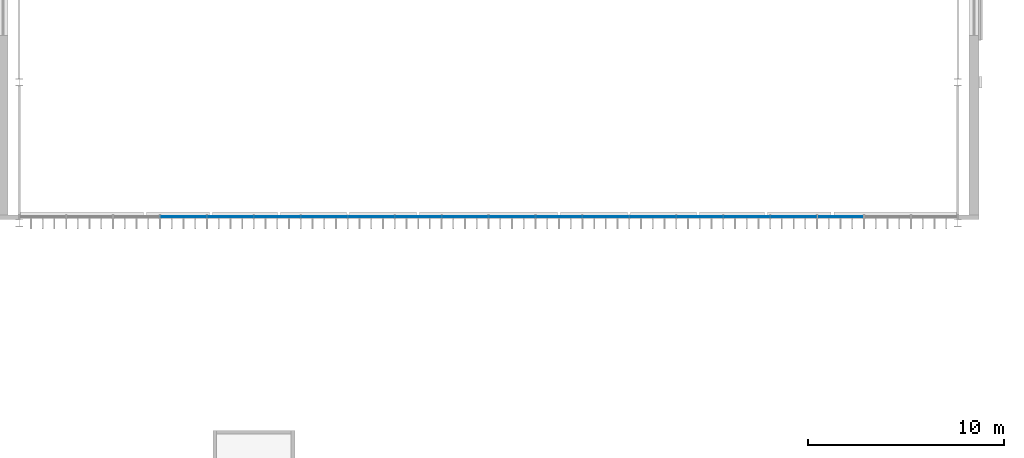
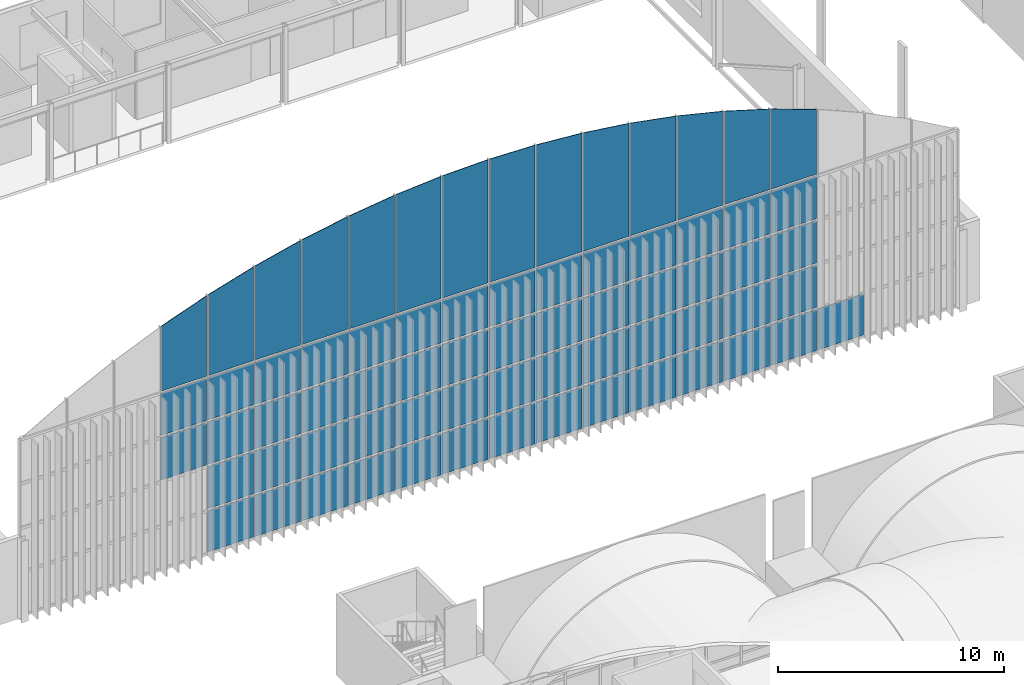
# One storey, part 89 of 169: 69 plates, 1 element without a shape of its own.
"""IFC4 building model written with IfcOpenShell, lengths in metres."""

import ifcopenshell
import ifcopenshell.guid

model = None  # the IFC model being written
_history = None  # IfcOwnerHistory: only IFC2X3 demands one
_inside = {}  # id of a spatial element -> (the spatial element, [elements in it])
_under = {}  # id of a project, library or spatial element -> (it, [spatial elements below it])
_declared = {}  # id of a project -> (the project, [libraries it declares])
_typed = {}  # id of a type object -> (the type object, [elements of that type])
_made_of = {}  # id of a material, layer set ... -> (it, [elements and type objects made of it])


def new_model(schema):
    """Start an empty IFC model of exactly this schema.

    Asked for "IFC4X3", IfcOpenShell would pick the latest addendum, in which some entities
    have other attributes; the version numbers below select the first issue.
    IFC2X3 requires an IfcOwnerHistory on every rooted entity: one is made here for all.
    """
    global model, _history
    if schema == "IFC4X3":
        model = ifcopenshell.file(schema_version=(4, 3, 0, 0))
    else:
        model = ifcopenshell.file(schema=schema)
    _inside.clear()
    _under.clear()
    _declared.clear()
    _typed.clear()
    _made_of.clear()
    _history = None
    if model.schema == "IFC2X3":
        org = make("IfcOrganization", Name="unknown")
        user = make(
            "IfcPersonAndOrganization",
            ThePerson=make("IfcPerson", FamilyName="unknown"),
            TheOrganization=org,
        )
        app = make(
            "IfcApplication",
            ApplicationDeveloper=org,
            Version="unknown",
            ApplicationFullName="unknown",
            ApplicationIdentifier="unknown",
        )
        _history = make(
            "IfcOwnerHistory",
            OwningUser=user,
            OwningApplication=app,
            ChangeAction="ADDED",
            CreationDate=0,
        )
    return model


def make(cls, **values):
    """One entity of the class cls with the attributes given. An attribute that is None is left unset."""
    return model.create_entity(
        cls, **{name: value for name, value in values.items() if value is not None}
    )


def rooted(cls, **values):
    """An entity with a GlobalId (a new one), such as an element, a storey or a relation."""
    return make(cls, GlobalId=ifcopenshell.guid.new(), OwnerHistory=_history, **values)


def si_unit(unit_type, name, prefix=None):
    """IfcSIUnit, for example si_unit("LENGTHUNIT", "METRE", prefix="MILLI")."""
    return make("IfcSIUnit", UnitType=unit_type, Prefix=prefix, Name=name)


def assignment(units):
    """IfcUnitAssignment: the units of a project."""
    return None if units is None else make("IfcUnitAssignment", Units=units)


def point(xyz):
    """IfcCartesianPoint."""
    return None if xyz is None else make("IfcCartesianPoint", Coordinates=xyz)


def direction(xyz):
    """IfcDirection."""
    return None if xyz is None else make("IfcDirection", DirectionRatios=xyz)


def frame(location, z_axis=None, x_axis=None):
    """IfcAxis2Placement3D, a coordinate frame: its origin and axes. An axis left out is left unset."""
    return make(
        "IfcAxis2Placement3D",
        Location=point(location),
        Axis=direction(z_axis),
        RefDirection=direction(x_axis),
    )


def frame_2d(location, x_axis=None):
    """IfcAxis2Placement2D, a coordinate frame in the plane: its origin and x axis."""
    return make(
        "IfcAxis2Placement2D", Location=point(location), RefDirection=direction(x_axis)
    )


def origin():
    """The frame at (0, 0, 0) with its axes left unset."""
    return frame((0.0, 0.0, 0.0))


def origin_2d():
    """The frame at (0, 0) in the plane with its x axis left unset."""
    return frame_2d((0.0, 0.0))


def place(relative_to, where):
    """IfcLocalPlacement: puts the frame where relative to a parent placement (None: the world)."""
    return make(
        "IfcLocalPlacement", PlacementRelTo=relative_to, RelativePlacement=where
    )


def context(
    kind, dimensions, precision=None, world=None, true_north=None, identifier=None
):
    """IfcGeometricRepresentationContext, for example the 3D "Model" context."""
    return make(
        "IfcGeometricRepresentationContext",
        ContextIdentifier=identifier,
        ContextType=kind,
        CoordinateSpaceDimension=dimensions,
        Precision=precision,
        WorldCoordinateSystem=world,
        TrueNorth=true_north,
    )


def subcontext(parent, identifier, kind, view, scale=None):
    """IfcGeometricRepresentationSubContext, for example "Body" below "Model"."""
    return make(
        "IfcGeometricRepresentationSubContext",
        ContextIdentifier=identifier,
        ContextType=kind,
        ParentContext=parent,
        TargetScale=scale,
        TargetView=view,
    )


def project(units=None, contexts=None):
    """IfcProject with its units and contexts."""
    return rooted(
        "IfcProject",
        Name="project",
        RepresentationContexts=contexts,
        UnitsInContext=assignment(units),
    )


def spatial(cls, under=None, at=None, **own):
    """A site, building, storey or space (cls), placed at a placement, below another one or the project."""
    s = rooted(cls, ObjectPlacement=at, **own)
    if under is not None:
        _under.setdefault(under.id(), (under, []))[1].append(s)
    return s


def polyline(points):
    """IfcPolyline through the points."""
    return make("IfcPolyline", Points=[point(p) for p in points])


def profile(cls, at=None, kind="AREA", **sizes):
    """A parametric profile (cls). Its sizes go by their IFC names, for example OverallWidth=200.0."""
    return make(cls, ProfileType=kind, Position=at, **sizes)


def rectangle(**sizes):
    """IfcRectangleProfileDef."""
    return profile("IfcRectangleProfileDef", **sizes)


def outline(outer, holes=None, kind="AREA"):
    """IfcArbitraryClosedProfileDef: a profile drawn as a closed curve; with holes, ...WithVoids."""
    if holes is None:
        return make("IfcArbitraryClosedProfileDef", ProfileType=kind, OuterCurve=outer)
    return make(
        "IfcArbitraryProfileDefWithVoids",
        ProfileType=kind,
        OuterCurve=outer,
        InnerCurves=holes,
    )


def extrude(swept, where, along, depth):
    """IfcExtrudedAreaSolid: the profile swept, set in the frame where, extruded along a direction by depth."""
    return make(
        "IfcExtrudedAreaSolid",
        SweptArea=swept,
        Position=where,
        ExtrudedDirection=direction(along),
        Depth=depth,
    )


def shape(context_of_items, identifier, shape_type, items):
    """IfcShapeRepresentation: the items that make up one representation, for example the "Body"."""
    return make(
        "IfcShapeRepresentation",
        ContextOfItems=context_of_items,
        RepresentationIdentifier=identifier,
        RepresentationType=shape_type,
        Items=items,
    )


def material(Name=None, Category=None):
    """IfcMaterial."""
    return make("IfcMaterial", Name=Name, Category=Category)


def layer(
    of_material, thickness, ventilated=None, Name=None, Category=None, Priority=None
):
    """IfcMaterialLayer: one layer of a wall or slab, of a material (None: an air gap)."""
    return make(
        "IfcMaterialLayer",
        Material=of_material,
        LayerThickness=thickness,
        IsVentilated=ventilated,
        Name=Name,
        Category=Category,
        Priority=Priority,
    )


def layer_set(layers, Name=None):
    """IfcMaterialLayerSet."""
    return make("IfcMaterialLayerSet", MaterialLayers=layers, LayerSetName=Name)


def made_of(thing, what):
    """Note that an element or type object is made of a material, layer set ...; save() writes the relation."""
    if what is not None:
        _made_of.setdefault(what.id(), (what, []))[1].append(thing)
    return thing


def type_object(cls, material=None, **own):
    """A type object (cls), such as IfcWallType, which elements share."""
    return made_of(rooted(cls, **own), material)


def element(
    cls,
    number,
    at=None,
    inside=None,
    cuts=None,
    type_object=None,
    material=None,
    context=None,
    identifier="Body",
    shape_type=None,
    held_by="IfcProductDefinitionShape",
    body=None,
    shapes=None,
    **own,
):
    """One element of the class cls, such as IfcWall. Its Tag is "e" and its number.

    at: its placement. inside: the storey or other place that contains it. cuts: it is an
    opening in that element (IfcRelVoidsElement). A single representation is given by context,
    identifier, shape_type and body (its items); several are given by shapes. held_by: the class
    of the entity that holds the representations. save() writes the other relations.
    """
    e = rooted(cls, Tag="e%d" % number, ObjectPlacement=at, **own)
    if body is not None:
        shapes = [shape(context, identifier, shape_type, body)]
    if shapes is not None:
        e.Representation = make(held_by, Representations=shapes)
    if inside is not None:
        _inside.setdefault(inside.id(), (inside, []))[1].append(e)
    if cuts is not None:
        rooted(
            "IfcRelVoidsElement", RelatingBuildingElement=cuts, RelatedOpeningElement=e
        )
    if type_object is not None:
        _typed.setdefault(type_object.id(), (type_object, []))[1].append(e)
    return made_of(e, material)


def aggregate(whole, parts):
    """IfcRelAggregates: a whole, such as a stair, and the parts it consists of."""
    return rooted("IfcRelAggregates", RelatingObject=whole, RelatedObjects=parts)


def save(model, path):
    """Write the relations noted so far, then the file.

    IfcRelAggregates (storeys below a building ...), IfcRelContainedInSpatialStructure (elements
    in a storey), IfcRelDefinesByType, IfcRelAssociatesMaterial and IfcRelDeclares: one each for
    every whole, place, type object, material and project.
    """
    for whole, parts in _under.values():
        aggregate(whole, parts)
    for where, things in _inside.values():
        rooted(
            "IfcRelContainedInSpatialStructure",
            RelatedElements=things,
            RelatingStructure=where,
        )
    for kind, things in _typed.values():
        rooted("IfcRelDefinesByType", RelatedObjects=things, RelatingType=kind)
    for what, things in _made_of.values():
        rooted("IfcRelAssociatesMaterial", RelatedObjects=things, RelatingMaterial=what)
    for by, libraries in _declared.values():
        rooted("IfcRelDeclares", RelatingContext=by, RelatedDefinitions=libraries)
    model.write(path)


model = new_model("IFC4")

# Units and contexts
model_context = context("Model", 3, precision=1e-05, world=origin(), true_north=direction((0.0, 1.0)))
body_context = subcontext(model_context, "Body", "Model", "MODEL_VIEW")
ifc_project = project(units=[si_unit("LENGTHUNIT", "METRE"), si_unit("AREAUNIT", "SQUARE_METRE"), si_unit("VOLUMEUNIT", "CUBIC_METRE"), si_unit("PLANEANGLEUNIT", "RADIAN"), si_unit("MASSUNIT", "GRAM", prefix="KILO")], contexts=[model_context])

# Site, building, storey
site_placement = place(None, origin())
site = spatial("IfcSite", under=ifc_project, at=site_placement, CompositionType="ELEMENT")
building_placement = place(site_placement, origin())
building = spatial("IfcBuilding", under=site, at=building_placement, Name="Verrick Yard Athletic Hall", CompositionType="ELEMENT")
storey_placement = place(building_placement, frame((0.0, 0.0, 4.39990234375)))
storey = spatial("IfcBuildingStorey", under=building, at=storey_placement, Name="L01", CompositionType="ELEMENT", Elevation=4.39990234375)

# Curtain wall, plates
ifc_material_1 = material(Name="Anodised aluminium", Category="aluminium")
ifc_layer_1 = layer(ifc_material_1, 0.199951171875)
ifc_layer_set_1 = layer_set([ifc_layer_1], Name="Gable glazing")
curtain_wall_type = type_object("IfcCurtainWallType", Name="Gable glazing", PredefinedType="NOTDEFINED", material=ifc_layer_set_1)
curtain_wall_placement = place(storey_placement, origin())
curtain_wall = element("IfcCurtainWall", 1, at=curtain_wall_placement, inside=storey, type_object=curtain_wall_type, Name="Gable curtain wall BS", PredefinedType="NOTDEFINED")
ifc_material_2 = material(Name="Glass IGU low-e", Category="glass")
ifc_layer_2 = layer(ifc_material_2, 0.03125)
ifc_layer_set_2 = layer_set([ifc_layer_2], Name="Glazing panel 31")
plate_type = type_object("IfcPlateType", Name="Glazing panel 31", PredefinedType="CURTAIN_PANEL", material=ifc_layer_set_2)
plate_1_placement = place(storey_placement, frame((36.39990234375, 72.318359375, 4.85986328125), z_axis=(0.0, 0.0, 1.0), x_axis=(1.0, 0.0, 0.0)))
plate_1 = element("IfcPlate", 2, at=plate_1_placement, type_object=plate_type, Name="ENVB-HBS-CW/P03-02", PredefinedType="CURTAIN_PANEL", context=body_context, shape_type="SweptSolid", body=[
    extrude(rectangle(XDim=2.340087890625, YDim=0.03125, at=origin_2d()), origin(), (0.0, 0.0, 1.0), 2.280029296875),
])
plate_2_placement = place(storey_placement, frame((36.39990234375, 72.318359375, 7.26025390625), z_axis=(0.0, 0.0, 1.0), x_axis=(1.0, 0.0, 0.0)))
plate_2 = element("IfcPlate", 3, at=plate_2_placement, type_object=plate_type, Name="ENVB-HBS-CW/P03-03", PredefinedType="CURTAIN_PANEL", context=body_context, shape_type="SweptSolid", body=[
    extrude(rectangle(XDim=2.340087890625, YDim=0.03125, at=origin_2d()), origin(), (0.0, 0.0, 1.0), 2.280029296875),
])
plate_3_placement = place(storey_placement, frame((38.800048828125, 72.318359375, 0.1201171875), z_axis=(0.0, 0.0, 1.0), x_axis=(1.0, 0.0, 0.0)))
plate_3 = element("IfcPlate", 4, at=plate_3_placement, type_object=plate_type, Name="ENVB-HBS-CW/P04-00", PredefinedType="CURTAIN_PANEL", context=body_context, shape_type="SweptSolid", body=[
    extrude(rectangle(XDim=2.340087890625, YDim=0.03125, at=origin_2d()), origin(), (0.0, 0.0, 1.0), 2.219970703125),
])
plate_4_placement = place(storey_placement, frame((38.800048828125, 72.318359375, 2.4599609375), z_axis=(0.0, 0.0, 1.0), x_axis=(1.0, 0.0, 0.0)))
plate_4 = element("IfcPlate", 5, at=plate_4_placement, type_object=plate_type, Name="ENVB-HBS-CW/P04-01", PredefinedType="CURTAIN_PANEL", context=body_context, shape_type="SweptSolid", body=[
    extrude(rectangle(XDim=2.340087890625, YDim=0.03125, at=origin_2d()), origin(), (0.0, 0.0, 1.0), 2.280029296875),
])
plate_5_placement = place(storey_placement, frame((38.800048828125, 72.318359375, 4.85986328125), z_axis=(0.0, 0.0, 1.0), x_axis=(1.0, 0.0, 0.0)))
plate_5 = element("IfcPlate", 6, at=plate_5_placement, type_object=plate_type, Name="ENVB-HBS-CW/P04-02", PredefinedType="CURTAIN_PANEL", context=body_context, shape_type="SweptSolid", body=[
    extrude(rectangle(XDim=2.340087890625, YDim=0.03125, at=origin_2d()), origin(), (0.0, 0.0, 1.0), 2.280029296875),
])
plate_6_placement = place(storey_placement, frame((38.800048828125, 72.318359375, 7.26025390625), z_axis=(0.0, 0.0, 1.0), x_axis=(1.0, 0.0, 0.0)))
plate_6 = element("IfcPlate", 7, at=plate_6_placement, type_object=plate_type, Name="ENVB-HBS-CW/P04-03", PredefinedType="CURTAIN_PANEL", context=body_context, shape_type="SweptSolid", body=[
    extrude(rectangle(XDim=2.340087890625, YDim=0.03125, at=origin_2d()), origin(), (0.0, 0.0, 1.0), 2.280029296875),
])
plate_7_placement = place(storey_placement, frame((41.199951171875, 72.318359375, 0.1201171875), z_axis=(0.0, 0.0, 1.0), x_axis=(1.0, 0.0, 0.0)))
plate_7 = element("IfcPlate", 8, at=plate_7_placement, type_object=plate_type, Name="ENVB-HBS-CW/P05-00", PredefinedType="CURTAIN_PANEL", context=body_context, shape_type="SweptSolid", body=[
    extrude(rectangle(XDim=2.340087890625, YDim=0.03125, at=origin_2d()), origin(), (0.0, 0.0, 1.0), 2.219970703125),
])
plate_8_placement = place(storey_placement, frame((41.199951171875, 72.318359375, 2.4599609375), z_axis=(0.0, 0.0, 1.0), x_axis=(1.0, 0.0, 0.0)))
plate_8 = element("IfcPlate", 9, at=plate_8_placement, type_object=plate_type, Name="ENVB-HBS-CW/P05-01", PredefinedType="CURTAIN_PANEL", context=body_context, shape_type="SweptSolid", body=[
    extrude(rectangle(XDim=2.340087890625, YDim=0.03125, at=origin_2d()), origin(), (0.0, 0.0, 1.0), 2.280029296875),
])
plate_9_placement = place(storey_placement, frame((41.199951171875, 72.318359375, 4.85986328125), z_axis=(0.0, 0.0, 1.0), x_axis=(1.0, 0.0, 0.0)))
plate_9 = element("IfcPlate", 10, at=plate_9_placement, type_object=plate_type, Name="ENVB-HBS-CW/P05-02", PredefinedType="CURTAIN_PANEL", context=body_context, shape_type="SweptSolid", body=[
    extrude(rectangle(XDim=2.340087890625, YDim=0.03125, at=origin_2d()), origin(), (0.0, 0.0, 1.0), 2.280029296875),
])
plate_10_placement = place(storey_placement, frame((41.199951171875, 72.318359375, 7.26025390625), z_axis=(0.0, 0.0, 1.0), x_axis=(1.0, 0.0, 0.0)))
plate_10 = element("IfcPlate", 11, at=plate_10_placement, type_object=plate_type, Name="ENVB-HBS-CW/P05-03", PredefinedType="CURTAIN_PANEL", context=body_context, shape_type="SweptSolid", body=[
    extrude(rectangle(XDim=2.340087890625, YDim=0.03125, at=origin_2d()), origin(), (0.0, 0.0, 1.0), 2.280029296875),
])
plate_11_placement = place(storey_placement, frame((43.60009765625, 72.318359375, 0.1201171875), z_axis=(0.0, 0.0, 1.0), x_axis=(1.0, 0.0, 0.0)))
plate_11 = element("IfcPlate", 12, at=plate_11_placement, type_object=plate_type, Name="ENVB-HBS-CW/P06-00", PredefinedType="CURTAIN_PANEL", context=body_context, shape_type="SweptSolid", body=[
    extrude(rectangle(XDim=2.340087890625, YDim=0.03125, at=origin_2d()), origin(), (0.0, 0.0, 1.0), 2.219970703125),
])
plate_12_placement = place(storey_placement, frame((43.60009765625, 72.318359375, 2.4599609375), z_axis=(0.0, 0.0, 1.0), x_axis=(1.0, 0.0, 0.0)))
plate_12 = element("IfcPlate", 13, at=plate_12_placement, type_object=plate_type, Name="ENVB-HBS-CW/P06-01", PredefinedType="CURTAIN_PANEL", context=body_context, shape_type="SweptSolid", body=[
    extrude(rectangle(XDim=2.340087890625, YDim=0.03125, at=origin_2d()), origin(), (0.0, 0.0, 1.0), 2.280029296875),
])
plate_13_placement = place(storey_placement, frame((43.60009765625, 72.318359375, 4.85986328125), z_axis=(0.0, 0.0, 1.0), x_axis=(1.0, 0.0, 0.0)))
plate_13 = element("IfcPlate", 14, at=plate_13_placement, type_object=plate_type, Name="ENVB-HBS-CW/P06-02", PredefinedType="CURTAIN_PANEL", context=body_context, shape_type="SweptSolid", body=[
    extrude(rectangle(XDim=2.340087890625, YDim=0.03125, at=origin_2d()), origin(), (0.0, 0.0, 1.0), 2.280029296875),
])
plate_14_placement = place(storey_placement, frame((43.60009765625, 72.318359375, 7.26025390625), z_axis=(0.0, 0.0, 1.0), x_axis=(1.0, 0.0, 0.0)))
plate_14 = element("IfcPlate", 15, at=plate_14_placement, type_object=plate_type, Name="ENVB-HBS-CW/P06-03", PredefinedType="CURTAIN_PANEL", context=body_context, shape_type="SweptSolid", body=[
    extrude(rectangle(XDim=2.340087890625, YDim=0.03125, at=origin_2d()), origin(), (0.0, 0.0, 1.0), 2.280029296875),
])
plate_15_placement = place(storey_placement, frame((46.0, 72.318359375, 0.1201171875), z_axis=(0.0, 0.0, 1.0), x_axis=(1.0, 0.0, 0.0)))
plate_15 = element("IfcPlate", 16, at=plate_15_placement, type_object=plate_type, Name="ENVB-HBS-CW/P07-00", PredefinedType="CURTAIN_PANEL", context=body_context, shape_type="SweptSolid", body=[
    extrude(rectangle(XDim=2.340087890625, YDim=0.03125, at=origin_2d()), origin(), (0.0, 0.0, 1.0), 2.219970703125),
])
plate_16_placement = place(storey_placement, frame((46.0, 72.318359375, 2.4599609375), z_axis=(0.0, 0.0, 1.0), x_axis=(1.0, 0.0, 0.0)))
plate_16 = element("IfcPlate", 17, at=plate_16_placement, type_object=plate_type, Name="ENVB-HBS-CW/P07-01", PredefinedType="CURTAIN_PANEL", context=body_context, shape_type="SweptSolid", body=[
    extrude(rectangle(XDim=2.340087890625, YDim=0.03125, at=origin_2d()), origin(), (0.0, 0.0, 1.0), 2.280029296875),
])
plate_17_placement = place(storey_placement, frame((46.0, 72.318359375, 4.85986328125), z_axis=(0.0, 0.0, 1.0), x_axis=(1.0, 0.0, 0.0)))
plate_17 = element("IfcPlate", 18, at=plate_17_placement, type_object=plate_type, Name="ENVB-HBS-CW/P07-02", PredefinedType="CURTAIN_PANEL", context=body_context, shape_type="SweptSolid", body=[
    extrude(rectangle(XDim=2.340087890625, YDim=0.03125, at=origin_2d()), origin(), (0.0, 0.0, 1.0), 2.280029296875),
])
plate_18_placement = place(storey_placement, frame((46.0, 72.318359375, 7.26025390625), z_axis=(0.0, 0.0, 1.0), x_axis=(1.0, 0.0, 0.0)))
plate_18 = element("IfcPlate", 19, at=plate_18_placement, type_object=plate_type, Name="ENVB-HBS-CW/P07-03", PredefinedType="CURTAIN_PANEL", context=body_context, shape_type="SweptSolid", body=[
    extrude(rectangle(XDim=2.340087890625, YDim=0.03125, at=origin_2d()), origin(), (0.0, 0.0, 1.0), 2.280029296875),
])
plate_19_placement = place(storey_placement, frame((48.39990234375, 72.318359375, 0.1201171875), z_axis=(0.0, 0.0, 1.0), x_axis=(1.0, 0.0, 0.0)))
plate_19 = element("IfcPlate", 20, at=plate_19_placement, type_object=plate_type, Name="ENVB-HBS-CW/P08-00", PredefinedType="CURTAIN_PANEL", context=body_context, shape_type="SweptSolid", body=[
    extrude(rectangle(XDim=2.340087890625, YDim=0.03125, at=origin_2d()), origin(), (0.0, 0.0, 1.0), 2.219970703125),
])
plate_20_placement = place(storey_placement, frame((48.39990234375, 72.318359375, 2.4599609375), z_axis=(0.0, 0.0, 1.0), x_axis=(1.0, 0.0, 0.0)))
plate_20 = element("IfcPlate", 21, at=plate_20_placement, type_object=plate_type, Name="ENVB-HBS-CW/P08-01", PredefinedType="CURTAIN_PANEL", context=body_context, shape_type="SweptSolid", body=[
    extrude(rectangle(XDim=2.340087890625, YDim=0.03125, at=origin_2d()), origin(), (0.0, 0.0, 1.0), 2.280029296875),
])
plate_21_placement = place(storey_placement, frame((48.39990234375, 72.318359375, 4.85986328125), z_axis=(0.0, 0.0, 1.0), x_axis=(1.0, 0.0, 0.0)))
plate_21 = element("IfcPlate", 22, at=plate_21_placement, type_object=plate_type, Name="ENVB-HBS-CW/P08-02", PredefinedType="CURTAIN_PANEL", context=body_context, shape_type="SweptSolid", body=[
    extrude(rectangle(XDim=2.340087890625, YDim=0.03125, at=origin_2d()), origin(), (0.0, 0.0, 1.0), 2.280029296875),
])
plate_22_placement = place(storey_placement, frame((48.39990234375, 72.318359375, 7.26025390625), z_axis=(0.0, 0.0, 1.0), x_axis=(1.0, 0.0, 0.0)))
plate_22 = element("IfcPlate", 23, at=plate_22_placement, type_object=plate_type, Name="ENVB-HBS-CW/P08-03", PredefinedType="CURTAIN_PANEL", context=body_context, shape_type="SweptSolid", body=[
    extrude(rectangle(XDim=2.340087890625, YDim=0.03125, at=origin_2d()), origin(), (0.0, 0.0, 1.0), 2.280029296875),
])
plate_23_placement = place(storey_placement, frame((50.800048828125, 72.318359375, 0.1201171875), z_axis=(0.0, 0.0, 1.0), x_axis=(1.0, 0.0, 0.0)))
plate_23 = element("IfcPlate", 24, at=plate_23_placement, type_object=plate_type, Name="ENVB-HBS-CW/P09-00", PredefinedType="CURTAIN_PANEL", context=body_context, shape_type="SweptSolid", body=[
    extrude(rectangle(XDim=2.340087890625, YDim=0.03125, at=origin_2d()), origin(), (0.0, 0.0, 1.0), 2.219970703125),
])
plate_24_placement = place(storey_placement, frame((50.800048828125, 72.318359375, 2.4599609375), z_axis=(0.0, 0.0, 1.0), x_axis=(1.0, 0.0, 0.0)))
plate_24 = element("IfcPlate", 25, at=plate_24_placement, type_object=plate_type, Name="ENVB-HBS-CW/P09-01", PredefinedType="CURTAIN_PANEL", context=body_context, shape_type="SweptSolid", body=[
    extrude(rectangle(XDim=2.340087890625, YDim=0.03125, at=origin_2d()), origin(), (0.0, 0.0, 1.0), 2.280029296875),
])
plate_25_placement = place(storey_placement, frame((50.800048828125, 72.318359375, 4.85986328125), z_axis=(0.0, 0.0, 1.0), x_axis=(1.0, 0.0, 0.0)))
plate_25 = element("IfcPlate", 26, at=plate_25_placement, type_object=plate_type, Name="ENVB-HBS-CW/P09-02", PredefinedType="CURTAIN_PANEL", context=body_context, shape_type="SweptSolid", body=[
    extrude(rectangle(XDim=2.340087890625, YDim=0.03125, at=origin_2d()), origin(), (0.0, 0.0, 1.0), 2.280029296875),
])
plate_26_placement = place(storey_placement, frame((50.800048828125, 72.318359375, 7.26025390625), z_axis=(0.0, 0.0, 1.0), x_axis=(1.0, 0.0, 0.0)))
plate_26 = element("IfcPlate", 27, at=plate_26_placement, type_object=plate_type, Name="ENVB-HBS-CW/P09-03", PredefinedType="CURTAIN_PANEL", context=body_context, shape_type="SweptSolid", body=[
    extrude(rectangle(XDim=2.340087890625, YDim=0.03125, at=origin_2d()), origin(), (0.0, 0.0, 1.0), 2.280029296875),
])
plate_27_placement = place(storey_placement, frame((53.199951171875, 72.318359375, 0.1201171875), z_axis=(0.0, 0.0, 1.0), x_axis=(1.0, 0.0, 0.0)))
plate_27 = element("IfcPlate", 28, at=plate_27_placement, type_object=plate_type, Name="ENVB-HBS-CW/P10-00", PredefinedType="CURTAIN_PANEL", context=body_context, shape_type="SweptSolid", body=[
    extrude(rectangle(XDim=2.340087890625, YDim=0.03125, at=origin_2d()), origin(), (0.0, 0.0, 1.0), 2.219970703125),
])
plate_28_placement = place(storey_placement, frame((53.199951171875, 72.318359375, 2.4599609375), z_axis=(0.0, 0.0, 1.0), x_axis=(1.0, 0.0, 0.0)))
plate_28 = element("IfcPlate", 29, at=plate_28_placement, type_object=plate_type, Name="ENVB-HBS-CW/P10-01", PredefinedType="CURTAIN_PANEL", context=body_context, shape_type="SweptSolid", body=[
    extrude(rectangle(XDim=2.340087890625, YDim=0.03125, at=origin_2d()), origin(), (0.0, 0.0, 1.0), 2.280029296875),
])
plate_29_placement = place(storey_placement, frame((53.199951171875, 72.318359375, 4.85986328125), z_axis=(0.0, 0.0, 1.0), x_axis=(1.0, 0.0, 0.0)))
plate_29 = element("IfcPlate", 30, at=plate_29_placement, type_object=plate_type, Name="ENVB-HBS-CW/P10-02", PredefinedType="CURTAIN_PANEL", context=body_context, shape_type="SweptSolid", body=[
    extrude(rectangle(XDim=2.340087890625, YDim=0.03125, at=origin_2d()), origin(), (0.0, 0.0, 1.0), 2.280029296875),
])
plate_30_placement = place(storey_placement, frame((53.199951171875, 72.318359375, 7.26025390625), z_axis=(0.0, 0.0, 1.0), x_axis=(1.0, 0.0, 0.0)))
plate_30 = element("IfcPlate", 31, at=plate_30_placement, type_object=plate_type, Name="ENVB-HBS-CW/P10-03", PredefinedType="CURTAIN_PANEL", context=body_context, shape_type="SweptSolid", body=[
    extrude(rectangle(XDim=2.340087890625, YDim=0.03125, at=origin_2d()), origin(), (0.0, 0.0, 1.0), 2.280029296875),
])
plate_31_placement = place(storey_placement, frame((55.60009765625, 72.318359375, 0.1201171875), z_axis=(0.0, 0.0, 1.0), x_axis=(1.0, 0.0, 0.0)))
plate_31 = element("IfcPlate", 32, at=plate_31_placement, type_object=plate_type, Name="ENVB-HBS-CW/P11-00", PredefinedType="CURTAIN_PANEL", context=body_context, shape_type="SweptSolid", body=[
    extrude(rectangle(XDim=2.340087890625, YDim=0.03125, at=origin_2d()), origin(), (0.0, 0.0, 1.0), 2.219970703125),
])
plate_32_placement = place(storey_placement, frame((55.60009765625, 72.318359375, 2.4599609375), z_axis=(0.0, 0.0, 1.0), x_axis=(1.0, 0.0, 0.0)))
plate_32 = element("IfcPlate", 33, at=plate_32_placement, type_object=plate_type, Name="ENVB-HBS-CW/P11-01", PredefinedType="CURTAIN_PANEL", context=body_context, shape_type="SweptSolid", body=[
    extrude(rectangle(XDim=2.340087890625, YDim=0.03125, at=origin_2d()), origin(), (0.0, 0.0, 1.0), 2.280029296875),
])
plate_33_placement = place(storey_placement, frame((55.60009765625, 72.318359375, 4.85986328125), z_axis=(0.0, 0.0, 1.0), x_axis=(1.0, 0.0, 0.0)))
plate_33 = element("IfcPlate", 34, at=plate_33_placement, type_object=plate_type, Name="ENVB-HBS-CW/P11-02", PredefinedType="CURTAIN_PANEL", context=body_context, shape_type="SweptSolid", body=[
    extrude(rectangle(XDim=2.340087890625, YDim=0.03125, at=origin_2d()), origin(), (0.0, 0.0, 1.0), 2.280029296875),
])
plate_34_placement = place(storey_placement, frame((55.60009765625, 72.318359375, 7.26025390625), z_axis=(0.0, 0.0, 1.0), x_axis=(1.0, 0.0, 0.0)))
plate_34 = element("IfcPlate", 35, at=plate_34_placement, type_object=plate_type, Name="ENVB-HBS-CW/P11-03", PredefinedType="CURTAIN_PANEL", context=body_context, shape_type="SweptSolid", body=[
    extrude(rectangle(XDim=2.340087890625, YDim=0.03125, at=origin_2d()), origin(), (0.0, 0.0, 1.0), 2.280029296875),
])
plate_35_placement = place(storey_placement, frame((58.0, 72.318359375, 0.1201171875), z_axis=(0.0, 0.0, 1.0), x_axis=(1.0, 0.0, 0.0)))
plate_35 = element("IfcPlate", 36, at=plate_35_placement, type_object=plate_type, Name="ENVB-HBS-CW/P12-00", PredefinedType="CURTAIN_PANEL", context=body_context, shape_type="SweptSolid", body=[
    extrude(rectangle(XDim=2.340087890625, YDim=0.03125, at=origin_2d()), origin(), (0.0, 0.0, 1.0), 2.219970703125),
])
plate_36_placement = place(storey_placement, frame((58.0, 72.318359375, 2.4599609375), z_axis=(0.0, 0.0, 1.0), x_axis=(1.0, 0.0, 0.0)))
plate_36 = element("IfcPlate", 37, at=plate_36_placement, type_object=plate_type, Name="ENVB-HBS-CW/P12-01", PredefinedType="CURTAIN_PANEL", context=body_context, shape_type="SweptSolid", body=[
    extrude(rectangle(XDim=2.340087890625, YDim=0.03125, at=origin_2d()), origin(), (0.0, 0.0, 1.0), 2.280029296875),
])
plate_37_placement = place(storey_placement, frame((58.0, 72.318359375, 4.85986328125), z_axis=(0.0, 0.0, 1.0), x_axis=(1.0, 0.0, 0.0)))
plate_37 = element("IfcPlate", 38, at=plate_37_placement, type_object=plate_type, Name="ENVB-HBS-CW/P12-02", PredefinedType="CURTAIN_PANEL", context=body_context, shape_type="SweptSolid", body=[
    extrude(rectangle(XDim=2.340087890625, YDim=0.03125, at=origin_2d()), origin(), (0.0, 0.0, 1.0), 2.280029296875),
])
plate_38_placement = place(storey_placement, frame((58.0, 72.318359375, 7.26025390625), z_axis=(0.0, 0.0, 1.0), x_axis=(1.0, 0.0, 0.0)))
plate_38 = element("IfcPlate", 39, at=plate_38_placement, type_object=plate_type, Name="ENVB-HBS-CW/P12-03", PredefinedType="CURTAIN_PANEL", context=body_context, shape_type="SweptSolid", body=[
    extrude(rectangle(XDim=2.340087890625, YDim=0.03125, at=origin_2d()), origin(), (0.0, 0.0, 1.0), 2.280029296875),
])
plate_39_placement = place(storey_placement, frame((60.39990234375, 72.318359375, 0.1201171875), z_axis=(0.0, 0.0, 1.0), x_axis=(1.0, 0.0, 0.0)))
plate_39 = element("IfcPlate", 40, at=plate_39_placement, type_object=plate_type, Name="ENVB-HBS-CW/P13-00", PredefinedType="CURTAIN_PANEL", context=body_context, shape_type="SweptSolid", body=[
    extrude(rectangle(XDim=2.340087890625, YDim=0.03125, at=origin_2d()), origin(), (0.0, 0.0, 1.0), 2.219970703125),
])
plate_40_placement = place(storey_placement, frame((60.39990234375, 72.318359375, 2.4599609375), z_axis=(0.0, 0.0, 1.0), x_axis=(1.0, 0.0, 0.0)))
plate_40 = element("IfcPlate", 41, at=plate_40_placement, type_object=plate_type, Name="ENVB-HBS-CW/P13-01", PredefinedType="CURTAIN_PANEL", context=body_context, shape_type="SweptSolid", body=[
    extrude(rectangle(XDim=2.340087890625, YDim=0.03125, at=origin_2d()), origin(), (0.0, 0.0, 1.0), 2.280029296875),
])
plate_41_placement = place(storey_placement, frame((60.39990234375, 72.318359375, 4.85986328125), z_axis=(0.0, 0.0, 1.0), x_axis=(1.0, 0.0, 0.0)))
plate_41 = element("IfcPlate", 42, at=plate_41_placement, type_object=plate_type, Name="ENVB-HBS-CW/P13-02", PredefinedType="CURTAIN_PANEL", context=body_context, shape_type="SweptSolid", body=[
    extrude(rectangle(XDim=2.340087890625, YDim=0.03125, at=origin_2d()), origin(), (0.0, 0.0, 1.0), 2.280029296875),
])
plate_42_placement = place(storey_placement, frame((60.39990234375, 72.318359375, 7.26025390625), z_axis=(0.0, 0.0, 1.0), x_axis=(1.0, 0.0, 0.0)))
plate_42 = element("IfcPlate", 43, at=plate_42_placement, type_object=plate_type, Name="ENVB-HBS-CW/P13-03", PredefinedType="CURTAIN_PANEL", context=body_context, shape_type="SweptSolid", body=[
    extrude(rectangle(XDim=2.340087890625, YDim=0.03125, at=origin_2d()), origin(), (0.0, 0.0, 1.0), 2.280029296875),
])
plate_43_placement = place(storey_placement, frame((62.800048828125, 72.318359375, 0.1201171875), z_axis=(0.0, 0.0, 1.0), x_axis=(1.0, 0.0, 0.0)))
plate_43 = element("IfcPlate", 44, at=plate_43_placement, type_object=plate_type, Name="ENVB-HBS-CW/P14-00", PredefinedType="CURTAIN_PANEL", context=body_context, shape_type="SweptSolid", body=[
    extrude(rectangle(XDim=2.340087890625, YDim=0.03125, at=origin_2d()), origin(), (0.0, 0.0, 1.0), 2.219970703125),
])
plate_44_placement = place(storey_placement, frame((62.800048828125, 72.318359375, 2.4599609375), z_axis=(0.0, 0.0, 1.0), x_axis=(1.0, 0.0, 0.0)))
plate_44 = element("IfcPlate", 45, at=plate_44_placement, type_object=plate_type, Name="ENVB-HBS-CW/P14-01", PredefinedType="CURTAIN_PANEL", context=body_context, shape_type="SweptSolid", body=[
    extrude(rectangle(XDim=2.340087890625, YDim=0.03125, at=origin_2d()), origin(), (0.0, 0.0, 1.0), 2.280029296875),
])
plate_45_placement = place(storey_placement, frame((62.800048828125, 72.318359375, 4.85986328125), z_axis=(0.0, 0.0, 1.0), x_axis=(1.0, 0.0, 0.0)))
plate_45 = element("IfcPlate", 46, at=plate_45_placement, type_object=plate_type, Name="ENVB-HBS-CW/P14-02", PredefinedType="CURTAIN_PANEL", context=body_context, shape_type="SweptSolid", body=[
    extrude(rectangle(XDim=2.340087890625, YDim=0.03125, at=origin_2d()), origin(), (0.0, 0.0, 1.0), 2.280029296875),
])
plate_46_placement = place(storey_placement, frame((62.800048828125, 72.318359375, 7.26025390625), z_axis=(0.0, 0.0, 1.0), x_axis=(1.0, 0.0, 0.0)))
plate_46 = element("IfcPlate", 47, at=plate_46_placement, type_object=plate_type, Name="ENVB-HBS-CW/P14-03", PredefinedType="CURTAIN_PANEL", context=body_context, shape_type="SweptSolid", body=[
    extrude(rectangle(XDim=2.340087890625, YDim=0.03125, at=origin_2d()), origin(), (0.0, 0.0, 1.0), 2.280029296875),
])
plate_47_placement = place(storey_placement, frame((65.199951171875, 72.318359375, 0.1201171875), z_axis=(0.0, 0.0, 1.0), x_axis=(1.0, 0.0, 0.0)))
plate_47 = element("IfcPlate", 48, at=plate_47_placement, type_object=plate_type, Name="ENVB-HBS-CW/P15-00", PredefinedType="CURTAIN_PANEL", context=body_context, shape_type="SweptSolid", body=[
    extrude(rectangle(XDim=2.340087890625, YDim=0.03125, at=origin_2d()), origin(), (0.0, 0.0, 1.0), 2.219970703125),
])
plate_48_placement = place(storey_placement, frame((65.199951171875, 72.318359375, 2.4599609375), z_axis=(0.0, 0.0, 1.0), x_axis=(1.0, 0.0, 0.0)))
plate_48 = element("IfcPlate", 49, at=plate_48_placement, type_object=plate_type, Name="ENVB-HBS-CW/P15-01", PredefinedType="CURTAIN_PANEL", context=body_context, shape_type="SweptSolid", body=[
    extrude(rectangle(XDim=2.340087890625, YDim=0.03125, at=origin_2d()), origin(), (0.0, 0.0, 1.0), 2.280029296875),
])
plate_49_placement = place(storey_placement, frame((65.199951171875, 72.318359375, 4.85986328125), z_axis=(0.0, 0.0, 1.0), x_axis=(1.0, 0.0, 0.0)))
plate_49 = element("IfcPlate", 50, at=plate_49_placement, type_object=plate_type, Name="ENVB-HBS-CW/P15-02", PredefinedType="CURTAIN_PANEL", context=body_context, shape_type="SweptSolid", body=[
    extrude(rectangle(XDim=2.340087890625, YDim=0.03125, at=origin_2d()), origin(), (0.0, 0.0, 1.0), 2.280029296875),
])
plate_50_placement = place(storey_placement, frame((65.199951171875, 72.318359375, 7.26025390625), z_axis=(0.0, 0.0, 1.0), x_axis=(1.0, 0.0, 0.0)))
plate_50 = element("IfcPlate", 51, at=plate_50_placement, type_object=plate_type, Name="ENVB-HBS-CW/P15-03", PredefinedType="CURTAIN_PANEL", context=body_context, shape_type="SweptSolid", body=[
    extrude(rectangle(XDim=2.340087890625, YDim=0.03125, at=origin_2d()), origin(), (0.0, 0.0, 1.0), 2.280029296875),
])
plate_51_placement = place(storey_placement, frame((67.60009765625, 72.318359375, 0.1201171875), z_axis=(0.0, 0.0, 1.0), x_axis=(1.0, 0.0, 0.0)))
plate_51 = element("IfcPlate", 52, at=plate_51_placement, type_object=plate_type, Name="ENVB-HBS-CW/P16-00", PredefinedType="CURTAIN_PANEL", context=body_context, shape_type="SweptSolid", body=[
    extrude(rectangle(XDim=2.340087890625, YDim=0.03125, at=origin_2d()), origin(), (0.0, 0.0, 1.0), 2.219970703125),
])
plate_52_placement = place(storey_placement, frame((67.60009765625, 72.318359375, 2.4599609375), z_axis=(0.0, 0.0, 1.0), x_axis=(1.0, 0.0, 0.0)))
plate_52 = element("IfcPlate", 53, at=plate_52_placement, type_object=plate_type, Name="ENVB-HBS-CW/P16-01", PredefinedType="CURTAIN_PANEL", context=body_context, shape_type="SweptSolid", body=[
    extrude(rectangle(XDim=2.340087890625, YDim=0.03125, at=origin_2d()), origin(), (0.0, 0.0, 1.0), 2.280029296875),
])
plate_53_placement = place(storey_placement, frame((67.60009765625, 72.318359375, 4.85986328125), z_axis=(0.0, 0.0, 1.0), x_axis=(1.0, 0.0, 0.0)))
plate_53 = element("IfcPlate", 54, at=plate_53_placement, type_object=plate_type, Name="ENVB-HBS-CW/P16-02", PredefinedType="CURTAIN_PANEL", context=body_context, shape_type="SweptSolid", body=[
    extrude(rectangle(XDim=2.340087890625, YDim=0.03125, at=origin_2d()), origin(), (0.0, 0.0, 1.0), 2.280029296875),
])
plate_54_placement = place(storey_placement, frame((67.60009765625, 72.318359375, 7.26025390625), z_axis=(0.0, 0.0, 1.0), x_axis=(1.0, 0.0, 0.0)))
plate_54 = element("IfcPlate", 55, at=plate_54_placement, type_object=plate_type, Name="ENVB-HBS-CW/P16-03", PredefinedType="CURTAIN_PANEL", context=body_context, shape_type="SweptSolid", body=[
    extrude(rectangle(XDim=2.340087890625, YDim=0.03125, at=origin_2d()), origin(), (0.0, 0.0, 1.0), 2.280029296875),
])
plate_55_placement = place(storey_placement, frame((70.0, 72.318359375, 0.1201171875), z_axis=(0.0, 0.0, 1.0), x_axis=(1.0, 0.0, 0.0)))
plate_55 = element("IfcPlate", 56, at=plate_55_placement, type_object=plate_type, Name="ENVB-HBS-CW/P17-00", PredefinedType="CURTAIN_PANEL", context=body_context, shape_type="SweptSolid", body=[
    extrude(rectangle(XDim=2.340087890625, YDim=0.03125, at=origin_2d()), origin(), (0.0, 0.0, 1.0), 2.219970703125),
])
plate_56_placement = place(storey_placement, frame((35.22998046875, 72.318359375, 9.66015625), z_axis=(0.0, 0.0, 1.0), x_axis=(1.0, 0.0, 0.0)))
plate_56 = element("IfcPlate", 57, at=plate_56_placement, type_object=plate_type, Name="ENVB-HBS-CW/PA03", PredefinedType="CURTAIN_PANEL", context=body_context, shape_type="SweptSolid", body=[
    extrude(outline(polyline([(0.0, 3.49853515625), (2.340087890625, 4.34228515625), (2.340087890625, 0.0), (0.0, 0.0), (0.0, 3.49853515625)])), frame((0.0, 0.015625, 0.0), z_axis=(0.0, -1.0, 0.0), x_axis=(1.0, 0.0, 0.0)), (0.0, 0.0, 1.0), 0.03125),
])
plate_57_placement = place(storey_placement, frame((37.6298828125, 72.318359375, 9.66015625), z_axis=(0.0, 0.0, 1.0), x_axis=(1.0, 0.0, 0.0)))
plate_57 = element("IfcPlate", 58, at=plate_57_placement, type_object=plate_type, Name="ENVB-HBS-CW/PA04", PredefinedType="CURTAIN_PANEL", context=body_context, shape_type="SweptSolid", body=[
    extrude(outline(polyline([(0.0, 4.36279296875), (2.340087890625, 5.06396484375), (2.340087890625, 0.0), (0.0, 0.0), (0.0, 4.36279296875)])), frame((0.0, 0.015625, 0.0), z_axis=(0.0, -1.0, 0.0), x_axis=(1.0, 0.0, 0.0)), (0.0, 0.0, 1.0), 0.03125),
])
plate_58_placement = place(storey_placement, frame((40.030029296875, 72.318359375, 9.66015625), z_axis=(0.0, 0.0, 1.0), x_axis=(1.0, 0.0, 0.0)))
plate_58 = element("IfcPlate", 59, at=plate_58_placement, type_object=plate_type, Name="ENVB-HBS-CW/PA05", PredefinedType="CURTAIN_PANEL", context=body_context, shape_type="SweptSolid", body=[
    extrude(outline(polyline([(0.0, 5.080810546875), (2.340087890625, 5.646240234375), (2.340087890625, 0.0), (0.0, 0.0), (0.0, 5.080810546875)])), frame((0.0, 0.015625, 0.0), z_axis=(0.0, -1.0, 0.0), x_axis=(1.0, 0.0, 0.0)), (0.0, 0.0, 1.0), 0.03125),
])
plate_59_placement = place(storey_placement, frame((42.429931640625, 72.318359375, 9.66015625), z_axis=(0.0, 0.0, 1.0), x_axis=(1.0, 0.0, 0.0)))
plate_59 = element("IfcPlate", 60, at=plate_59_placement, type_object=plate_type, Name="ENVB-HBS-CW/PA06", PredefinedType="CURTAIN_PANEL", context=body_context, shape_type="SweptSolid", body=[
    extrude(outline(polyline([(0.0, 5.6591796875), (2.340087890625, 6.093994140625), (2.340087890625, 0.0), (0.0, 0.0), (0.0, 5.6591796875)])), frame((0.0, 0.015625, 0.0), z_axis=(0.0, -1.0, 0.0), x_axis=(1.0, 0.0, 0.0)), (0.0, 0.0, 1.0), 0.03125),
])
plate_60_placement = place(storey_placement, frame((44.830078125, 72.318359375, 9.66015625), z_axis=(0.0, 0.0, 1.0), x_axis=(1.0, 0.0, 0.0)))
plate_60 = element("IfcPlate", 61, at=plate_60_placement, type_object=plate_type, Name="ENVB-HBS-CW/PA07", PredefinedType="CURTAIN_PANEL", context=body_context, shape_type="SweptSolid", body=[
    extrude(outline(polyline([(0.0, 6.103759765625), (2.340087890625, 6.41162109375), (2.340087890625, 0.0), (0.0, 0.0), (0.0, 6.103759765625)])), frame((0.0, 0.015625, 0.0), z_axis=(0.0, -1.0, 0.0), x_axis=(1.0, 0.0, 0.0)), (0.0, 0.0, 1.0), 0.03125),
])
plate_61_placement = place(storey_placement, frame((47.22998046875, 72.318359375, 9.66015625), z_axis=(0.0, 0.0, 1.0), x_axis=(1.0, 0.0, 0.0)))
plate_61 = element("IfcPlate", 62, at=plate_61_placement, type_object=plate_type, Name="ENVB-HBS-CW/PA08", PredefinedType="CURTAIN_PANEL", context=body_context, shape_type="SweptSolid", body=[
    extrude(outline(polyline([(0.0, 6.418212890625), (2.340087890625, 6.60205078125), (2.340087890625, 0.0), (0.0, 0.0), (0.0, 6.418212890625)])), frame((0.0, 0.015625, 0.0), z_axis=(0.0, -1.0, 0.0), x_axis=(1.0, 0.0, 0.0)), (0.0, 0.0, 1.0), 0.03125),
])
plate_62_placement = place(storey_placement, frame((49.6298828125, 72.318359375, 9.66015625), z_axis=(0.0, 0.0, 1.0), x_axis=(1.0, 0.0, 0.0)))
plate_62 = element("IfcPlate", 63, at=plate_62_placement, type_object=plate_type, Name="ENVB-HBS-CW/PA09", PredefinedType="CURTAIN_PANEL", context=body_context, shape_type="SweptSolid", body=[
    extrude(outline(polyline([(0.0, 6.605224609375), (2.340087890625, 6.666259765625), (2.340087890625, 0.0), (0.0, 0.0), (0.0, 6.605224609375)])), frame((0.0, 0.015625, 0.0), z_axis=(0.0, -1.0, 0.0), x_axis=(1.0, 0.0, 0.0)), (0.0, 0.0, 1.0), 0.03125),
])
plate_63_placement = place(storey_placement, frame((52.030029296875, 72.318359375, 9.66015625), z_axis=(0.0, 0.0, 1.0), x_axis=(1.0, 0.0, 0.0)))
plate_63 = element("IfcPlate", 64, at=plate_63_placement, type_object=plate_type, Name="ENVB-HBS-CW/PA10", PredefinedType="CURTAIN_PANEL", context=body_context, shape_type="SweptSolid", body=[
    extrude(outline(polyline([(0.0, 6.666259765625), (2.340087890625, 6.605224609375), (2.340087890625, 0.0), (0.0, 0.0), (0.0, 6.666259765625)])), frame((0.0, 0.015625, 0.0), z_axis=(0.0, -1.0, 0.0), x_axis=(1.0, 0.0, 0.0)), (0.0, 0.0, 1.0), 0.03125),
])
plate_64_placement = place(storey_placement, frame((54.429931640625, 72.318359375, 9.66015625), z_axis=(0.0, 0.0, 1.0), x_axis=(1.0, 0.0, 0.0)))
plate_64 = element("IfcPlate", 65, at=plate_64_placement, type_object=plate_type, Name="ENVB-HBS-CW/PA11", PredefinedType="CURTAIN_PANEL", context=body_context, shape_type="SweptSolid", body=[
    extrude(outline(polyline([(0.0, 6.60205078125), (2.340087890625, 6.418212890625), (2.340087890625, 0.0), (0.0, 0.0), (0.0, 6.60205078125)])), frame((0.0, 0.015625, 0.0), z_axis=(0.0, -1.0, 0.0), x_axis=(1.0, 0.0, 0.0)), (0.0, 0.0, 1.0), 0.03125),
])
plate_65_placement = place(storey_placement, frame((56.830078125, 72.318359375, 9.66015625), z_axis=(0.0, 0.0, 1.0), x_axis=(1.0, 0.0, 0.0)))
plate_65 = element("IfcPlate", 66, at=plate_65_placement, type_object=plate_type, Name="ENVB-HBS-CW/PA12", PredefinedType="CURTAIN_PANEL", context=body_context, shape_type="SweptSolid", body=[
    extrude(outline(polyline([(0.0, 6.41162109375), (2.340087890625, 6.103759765625), (2.340087890625, 0.0), (0.0, 0.0), (0.0, 6.41162109375)])), frame((0.0, 0.015625, 0.0), z_axis=(0.0, -1.0, 0.0), x_axis=(1.0, 0.0, 0.0)), (0.0, 0.0, 1.0), 0.03125),
])
plate_66_placement = place(storey_placement, frame((59.22998046875, 72.318359375, 9.66015625), z_axis=(0.0, 0.0, 1.0), x_axis=(1.0, 0.0, 0.0)))
plate_66 = element("IfcPlate", 67, at=plate_66_placement, type_object=plate_type, Name="ENVB-HBS-CW/PA13", PredefinedType="CURTAIN_PANEL", context=body_context, shape_type="SweptSolid", body=[
    extrude(outline(polyline([(0.0, 6.093994140625), (2.340087890625, 5.6591796875), (2.340087890625, 0.0), (0.0, 0.0), (0.0, 6.093994140625)])), frame((0.0, 0.015625, 0.0), z_axis=(0.0, -1.0, 0.0), x_axis=(1.0, 0.0, 0.0)), (0.0, 0.0, 1.0), 0.03125),
])
plate_67_placement = place(storey_placement, frame((61.6298828125, 72.318359375, 9.66015625), z_axis=(0.0, 0.0, 1.0), x_axis=(1.0, 0.0, 0.0)))
plate_67 = element("IfcPlate", 68, at=plate_67_placement, type_object=plate_type, Name="ENVB-HBS-CW/PA14", PredefinedType="CURTAIN_PANEL", context=body_context, shape_type="SweptSolid", body=[
    extrude(outline(polyline([(0.0, 5.646240234375), (2.340087890625, 5.080810546875), (2.340087890625, 0.0), (0.0, 0.0), (0.0, 5.646240234375)])), frame((0.0, 0.015625, 0.0), z_axis=(0.0, -1.0, 0.0), x_axis=(1.0, 0.0, 0.0)), (0.0, 0.0, 1.0), 0.03125),
])
plate_68_placement = place(storey_placement, frame((64.030029296875, 72.318359375, 9.66015625), z_axis=(0.0, 0.0, 1.0), x_axis=(1.0, 0.0, 0.0)))
plate_68 = element("IfcPlate", 69, at=plate_68_placement, type_object=plate_type, Name="ENVB-HBS-CW/PA15", PredefinedType="CURTAIN_PANEL", context=body_context, shape_type="SweptSolid", body=[
    extrude(outline(polyline([(0.0, 5.06396484375), (2.340087890625, 4.36279296875), (2.340087890625, 0.0), (0.0, 0.0), (0.0, 5.06396484375)])), frame((0.0, 0.015625, 0.0), z_axis=(0.0, -1.0, 0.0), x_axis=(1.0, 0.0, 0.0)), (0.0, 0.0, 1.0), 0.03125),
])
plate_69_placement = place(storey_placement, frame((66.429931640625, 72.318359375, 9.66015625), z_axis=(0.0, 0.0, 1.0), x_axis=(1.0, 0.0, 0.0)))
plate_69 = element("IfcPlate", 70, at=plate_69_placement, type_object=plate_type, Name="ENVB-HBS-CW/PA16", PredefinedType="CURTAIN_PANEL", context=body_context, shape_type="SweptSolid", body=[
    extrude(outline(polyline([(0.0, 4.34228515625), (2.340087890625, 3.49853515625), (2.340087890625, 0.0), (0.0, 0.0), (0.0, 4.34228515625)])), frame((0.0, 0.015625, 0.0), z_axis=(0.0, -1.0, 0.0), x_axis=(1.0, 0.0, 0.0)), (0.0, 0.0, 1.0), 0.03125),
])
aggregate(curtain_wall, [plate_1, plate_2, plate_3, plate_4, plate_5, plate_6, plate_7, plate_8, plate_9, plate_10, plate_11, plate_12, plate_13, plate_14, plate_15, plate_16, plate_17, plate_18, plate_19, plate_20, plate_21, plate_22, plate_23, plate_24, plate_25, plate_26, plate_27, plate_28, plate_29, plate_30, plate_31, plate_32, plate_33, plate_34, plate_35, plate_36, plate_37, plate_38, plate_39, plate_40, plate_41, plate_42, plate_43, plate_44, plate_45, plate_46, plate_47, plate_48, plate_49, plate_50, plate_51, plate_52, plate_53, plate_54, plate_55, plate_56, plate_57, plate_58, plate_59, plate_60, plate_61, plate_62, plate_63, plate_64, plate_65, plate_66, plate_67, plate_68, plate_69])

save(model, "model.ifc")
